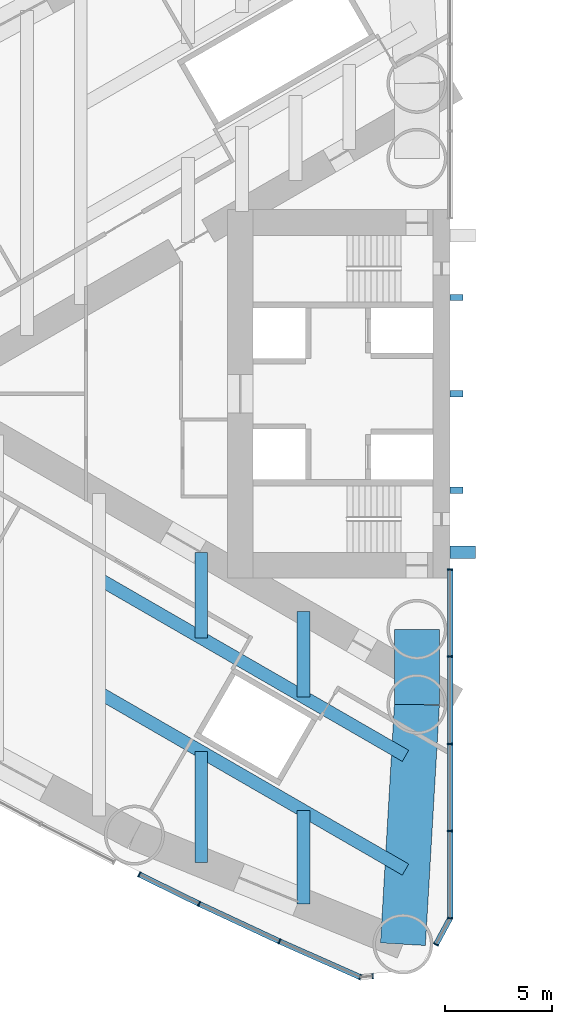
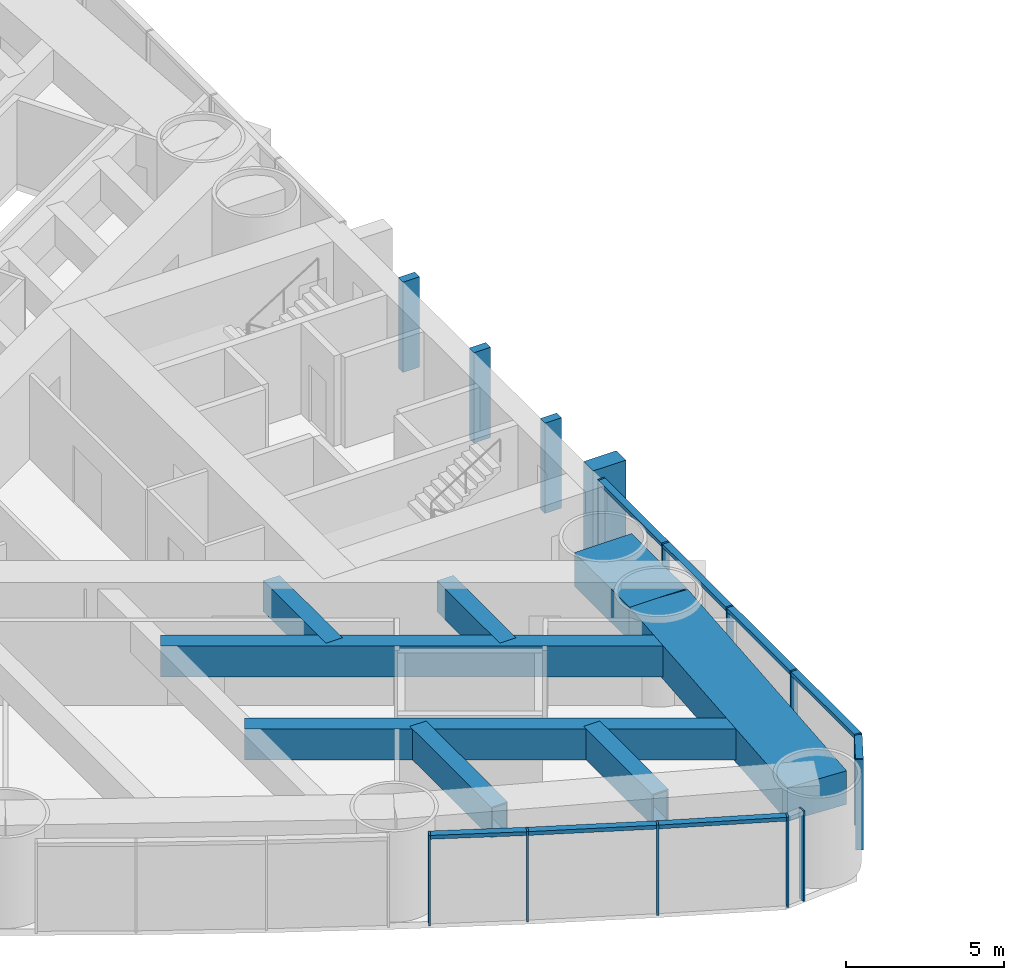
# One storey, part 3 of 20: 23 members, 8 beams, 2 elements without a shape of their own.
"""IFC4 building model written with IfcOpenShell, lengths in metres."""

from ifc_helpers import new_model, si_unit, direction, frame, origin, origin_2d, place, context, subcontext, project, spatial, rectangle, hollow_rectangle, extrude, material, material_profile, profile_set, type_object, element, aggregate, save


model = new_model("IFC4")

# Units and contexts
model_context = context("Model", 3, precision=1e-05, world=origin(), true_north=direction((0.0, 1.0)))
body_context = subcontext(model_context, "Body", "Model", "MODEL_VIEW")
ifc_project = project(units=[si_unit("LENGTHUNIT", "METRE"), si_unit("AREAUNIT", "SQUARE_METRE"), si_unit("VOLUMEUNIT", "CUBIC_METRE"), si_unit("PLANEANGLEUNIT", "RADIAN"), si_unit("MASSUNIT", "GRAM", prefix="KILO")], contexts=[model_context])

# Site, building, storey
site_placement = place(None, origin())
site = spatial("IfcSite", under=ifc_project, at=site_placement, CompositionType="ELEMENT")
building_placement = place(site_placement, origin())
building = spatial("IfcBuilding", under=site, at=building_placement, Name="Lancet Gate Hotel", CompositionType="ELEMENT")
storey_placement = place(building_placement, frame((0.0, 0.0, 77.5)))
storey = spatial("IfcBuildingStorey", under=building, at=storey_placement, Name="L20", CompositionType="ELEMENT", Elevation=77.5)

# Curtain wall, members
ifc_material_1 = material(Name="Aluminium curtain wall", Category="aluminium")
curtain_wall_type = type_object("IfcCurtainWallType", Name="Tower unitised curtain wall", PredefinedType="USERDEFINED", material=ifc_material_1)
curtain_wall_1_placement = place(storey_placement, origin())
curtain_wall_1 = element("IfcCurtainWall", 1, at=curtain_wall_1_placement, inside=storey, type_object=curtain_wall_type, Name="T1 L20 curtain wall 9", ObjectType="UNITISED CURTAIN WALL", PredefinedType="USERDEFINED")
ifc_material_2 = material(Name="Aluminium mullion", Category="aluminium")
ifc_material_profile_1 = material_profile(ifc_material_2, rectangle(XDim=0.06494140625, YDim=0.25, at=origin_2d()), Name="MULLION 65x250")
ifc_profile_set_1 = profile_set([ifc_material_profile_1], Name="Aluminium mullion")
member_type_1 = type_object("IfcMemberType", Name="Aluminium mullion 65x250", PredefinedType="MULLION", material=ifc_profile_set_1)
member_1_placement = place(storey_placement, frame((-42.017822265625, -22.44580078125, 0.0), z_axis=(0.0, 0.0, 1.0), x_axis=(0.897653295642, -0.440702349463, 0.0)))
member_1 = element("IfcMember", 2, at=member_1_placement, type_object=member_type_1, Name="T1 L20 curtain wall 9 mullion 1", PredefinedType="MULLION", context=body_context, shape_type="SweptSolid", body=[
    extrude(rectangle(XDim=0.06494140625, YDim=0.25, at=origin_2d()), origin(), (0.0, 0.0, 1.0), 3.5),
])
member_2_placement = place(storey_placement, frame((-39.225341796875, -23.816650390625, 0.0), z_axis=(0.0, 0.0, 1.0), x_axis=(0.902528866605, -0.43062935913, 0.0)))
member_2 = element("IfcMember", 3, at=member_2_placement, type_object=member_type_1, Name="T1 L20 curtain wall 9 mullion 2", PredefinedType="MULLION", context=body_context, shape_type="SweptSolid", body=[
    extrude(rectangle(XDim=0.06494140625, YDim=0.25, at=origin_2d()), origin(), (0.0, 0.0, 1.0), 3.5),
])
member_3_placement = place(storey_placement, frame((-35.473876953125, -25.568115234375, 0.0), z_axis=(0.0, 0.0, 1.0), x_axis=(0.910219680212, -0.414125746308, 0.0)))
member_3 = element("IfcMember", 4, at=member_3_placement, type_object=member_type_1, Name="T1 L20 curtain wall 9 mullion 3", PredefinedType="MULLION", context=body_context, shape_type="SweptSolid", body=[
    extrude(rectangle(XDim=0.06494140625, YDim=0.25, at=origin_2d()), origin(), (0.0, 0.0, 1.0), 3.5),
])
member_4_placement = place(storey_placement, frame((-31.688720703125, -27.24560546875, 0.0), z_axis=(0.0, 0.0, 1.0), x_axis=(0.936669468789, -0.350214657374, 0.0)))
member_4 = element("IfcMember", 5, at=member_4_placement, type_object=member_type_1, Name="T1 L20 curtain wall 9 mullion 4", PredefinedType="MULLION", context=body_context, shape_type="SweptSolid", body=[
    extrude(rectangle(XDim=0.06494140625, YDim=0.25, at=origin_2d()), origin(), (0.0, 0.0, 1.0), 3.5),
])
member_5_placement = place(storey_placement, frame((-31.119873046875, -27.196044921875, 0.0), z_axis=(0.0, 0.0, 1.0), x_axis=(0.99620380374, 0.087051602022, 0.0)))
member_5 = element("IfcMember", 6, at=member_5_placement, type_object=member_type_1, Name="T1 L20 curtain wall 9 mullion 5", PredefinedType="MULLION", context=body_context, shape_type="SweptSolid", body=[
    extrude(rectangle(XDim=0.06494140625, YDim=0.25, at=origin_2d()), origin(), (0.0, 0.0, 1.0), 3.5),
])

curtain_wall_2_placement = place(storey_placement, origin())
curtain_wall_2 = element("IfcCurtainWall", 7, at=curtain_wall_2_placement, inside=storey, type_object=curtain_wall_type, Name="T1 L20 curtain wall 10", ObjectType="UNITISED CURTAIN WALL", PredefinedType="USERDEFINED")
member_6_placement = place(storey_placement, frame((-28.157958984375, -25.71142578125, 0.0), z_axis=(0.0, 0.0, 1.0), x_axis=(0.474631040972, 0.880184852714, 0.0)))
member_6 = element("IfcMember", 8, at=member_6_placement, type_object=member_type_1, Name="T1 L20 curtain wall 10 mullion 1", PredefinedType="MULLION", context=body_context, shape_type="SweptSolid", body=[
    extrude(rectangle(XDim=0.06494140625, YDim=0.25, at=origin_2d()), origin(), (0.0, 0.0, 1.0), 3.5),
])
member_7_placement = place(storey_placement, frame((-27.5, -24.4912109375, 0.0), z_axis=(0.0, 0.0, 1.0), x_axis=(0.123363681604, 0.992361527903, 0.0)))
member_7 = element("IfcMember", 9, at=member_7_placement, type_object=member_type_1, Name="T1 L20 curtain wall 10 mullion 2", PredefinedType="MULLION", context=body_context, shape_type="SweptSolid", body=[
    extrude(rectangle(XDim=0.06494140625, YDim=0.25, at=origin_2d()), origin(), (0.0, 0.0, 1.0), 3.5),
])
member_8_placement = place(storey_placement, frame((-27.5, -20.41845703125, 0.0), z_axis=(0.0, 0.0, 1.0), x_axis=(0.0, 1.0, 0.0)))
member_8 = element("IfcMember", 10, at=member_8_placement, type_object=member_type_1, Name="T1 L20 curtain wall 10 mullion 3", PredefinedType="MULLION", context=body_context, shape_type="SweptSolid", body=[
    extrude(rectangle(XDim=0.06494140625, YDim=0.25, at=origin_2d()), origin(), (0.0, 0.0, 1.0), 3.5),
])
member_9_placement = place(storey_placement, frame((-27.5, -16.345703125, 0.0), z_axis=(0.0, 0.0, 1.0), x_axis=(0.0, 1.0, 0.0)))
member_9 = element("IfcMember", 11, at=member_9_placement, type_object=member_type_1, Name="T1 L20 curtain wall 10 mullion 4", PredefinedType="MULLION", context=body_context, shape_type="SweptSolid", body=[
    extrude(rectangle(XDim=0.06494140625, YDim=0.25, at=origin_2d()), origin(), (0.0, 0.0, 1.0), 3.5),
])
member_10_placement = place(storey_placement, frame((-27.5, -12.272705078125, 0.0), z_axis=(0.0, 0.0, 1.0), x_axis=(0.0, 1.0, 0.0)))
member_10 = element("IfcMember", 12, at=member_10_placement, type_object=member_type_1, Name="T1 L20 curtain wall 10 mullion 5", PredefinedType="MULLION", context=body_context, shape_type="SweptSolid", body=[
    extrude(rectangle(XDim=0.06494140625, YDim=0.25, at=origin_2d()), origin(), (0.0, 0.0, 1.0), 3.5),
])
member_11_placement = place(storey_placement, frame((-27.5, -8.199951171875, 0.0), z_axis=(0.0, 0.0, 1.0), x_axis=(0.0, 1.0, 0.0)))
member_11 = element("IfcMember", 13, at=member_11_placement, type_object=member_type_1, Name="T1 L20 curtain wall 10 mullion 6", PredefinedType="MULLION", context=body_context, shape_type="SweptSolid", body=[
    extrude(rectangle(XDim=0.06494140625, YDim=0.25, at=origin_2d()), origin(), (0.0, 0.0, 1.0), 3.5),
])

# Member
ifc_material_3 = material(Name="Aluminium transom", Category="aluminium")
ifc_material_profile_2 = material_profile(ifc_material_3, rectangle(XDim=0.25, YDim=0.14990234375, at=origin_2d()), Name="TRANSOM 250x150")
ifc_profile_set_2 = profile_set([ifc_material_profile_2], Name="Aluminium transom")
member_type_2 = type_object("IfcMemberType", Name="Aluminium transom 250x150", PredefinedType="USERDEFINED", material=ifc_profile_set_2)
member_12_placement = place(storey_placement, frame((-41.988525390625, -22.4599609375, 3.425048828125), z_axis=(0.897642241147, -0.440724865317, 0.0), x_axis=(0.440724865317, 0.897642241147, 0.0)))
member_12 = element("IfcMember", 14, at=member_12_placement, type_object=member_type_2, Name="T1 L20 curtain wall 9 transom 1", ObjectType="TRANSOM", PredefinedType="USERDEFINED", context=body_context, shape_type="SweptSolid", body=[
    extrude(rectangle(XDim=0.25, YDim=0.14990234375, at=origin_2d()), origin(), (0.0, 0.0, 1.0), 3.045654296875),
])

member_13_placement = place(storey_placement, frame((-39.196044921875, -23.830322265625, 3.425048828125), z_axis=(0.906109667261, -0.423042871228, 0.0), x_axis=(0.423042871228, 0.906109667261, 0.0)))
member_13 = element("IfcMember", 15, at=member_13_placement, type_object=member_type_2, Name="T1 L20 curtain wall 9 transom 2", ObjectType="TRANSOM", PredefinedType="USERDEFINED", context=body_context, shape_type="SweptSolid", body=[
    extrude(rectangle(XDim=0.25, YDim=0.14990234375, at=origin_2d()), origin(), (0.0, 0.0, 1.0), 4.075439453125),
])

member_14_placement = place(storey_placement, frame((-35.444091796875, -25.581298828125, 3.425048828125), z_axis=(0.914248281954, -0.405154389022, 0.0), x_axis=(0.405154389022, 0.914248281954, 0.0)))
member_14 = element("IfcMember", 16, at=member_14_placement, type_object=member_type_2, Name="T1 L20 curtain wall 9 transom 3", ObjectType="TRANSOM", PredefinedType="USERDEFINED", context=body_context, shape_type="SweptSolid", body=[
    extrude(rectangle(XDim=0.25, YDim=0.14990234375, at=origin_2d()), origin(), (0.0, 0.0, 1.0), 4.0751953125),
])

aggregate(curtain_wall_1, [member_1, member_2, member_3, member_4, member_5, member_12, member_13, member_14])

member_15_placement = place(storey_placement, frame((-28.142578125, -25.682861328125, 3.425048828125), z_axis=(0.474639595966, 0.880180239463, 0.0), x_axis=(-0.880180239463, 0.474639595966, 0.0)))
member_15 = element("IfcMember", 17, at=member_15_placement, type_object=member_type_2, Name="T1 L20 curtain wall 10 transom 1", ObjectType="TRANSOM", PredefinedType="USERDEFINED", context=body_context, shape_type="SweptSolid", body=[
    extrude(rectangle(XDim=0.25, YDim=0.14990234375, at=origin_2d()), origin(), (0.0, 0.0, 1.0), 1.321533203125),
])

member_16_placement = place(storey_placement, frame((-27.5, -24.458740234375, 3.425048828125), z_axis=(0.0, 1.0, 0.0), x_axis=(-1.0, 0.0, 0.0)))
member_16 = element("IfcMember", 18, at=member_16_placement, type_object=member_type_2, Name="T1 L20 curtain wall 10 transom 2", ObjectType="TRANSOM", PredefinedType="USERDEFINED", context=body_context, shape_type="SweptSolid", body=[
    extrude(rectangle(XDim=0.25, YDim=0.14990234375, at=origin_2d()), origin(), (0.0, 0.0, 1.0), 4.0078125),
])

member_17_placement = place(storey_placement, frame((-27.5, -20.385986328125, 3.425048828125), z_axis=(0.0, 1.0, 0.0), x_axis=(-1.0, 0.0, 0.0)))
member_17 = element("IfcMember", 19, at=member_17_placement, type_object=member_type_2, Name="T1 L20 curtain wall 10 transom 3", ObjectType="TRANSOM", PredefinedType="USERDEFINED", context=body_context, shape_type="SweptSolid", body=[
    extrude(rectangle(XDim=0.25, YDim=0.14990234375, at=origin_2d()), origin(), (0.0, 0.0, 1.0), 4.0078125),
])

member_18_placement = place(storey_placement, frame((-27.5, -16.31298828125, 3.425048828125), z_axis=(0.0, 1.0, 0.0), x_axis=(-1.0, 0.0, 0.0)))
member_18 = element("IfcMember", 20, at=member_18_placement, type_object=member_type_2, Name="T1 L20 curtain wall 10 transom 4", ObjectType="TRANSOM", PredefinedType="USERDEFINED", context=body_context, shape_type="SweptSolid", body=[
    extrude(rectangle(XDim=0.25, YDim=0.14990234375, at=origin_2d()), origin(), (0.0, 0.0, 1.0), 4.0078125),
])

member_19_placement = place(storey_placement, frame((-27.5, -12.240234375, 3.425048828125), z_axis=(0.0, 1.0, 0.0), x_axis=(-1.0, 0.0, 0.0)))
member_19 = element("IfcMember", 21, at=member_19_placement, type_object=member_type_2, Name="T1 L20 curtain wall 10 transom 5", ObjectType="TRANSOM", PredefinedType="USERDEFINED", context=body_context, shape_type="SweptSolid", body=[
    extrude(rectangle(XDim=0.25, YDim=0.14990234375, at=origin_2d()), origin(), (0.0, 0.0, 1.0), 4.0078125),
])

aggregate(curtain_wall_2, [member_6, member_7, member_8, member_9, member_10, member_11, member_15, member_16, member_17, member_18, member_19])

# Members
ifc_material_4 = material(Name="Concrete C60/75", Category="concrete")
ifc_material_profile_3 = material_profile(ifc_material_4, rectangle(XDim=0.60009765625, YDim=1.199951171875, at=origin_2d()), Name="FIN 600x1200")
ifc_profile_set_3 = profile_set([ifc_material_profile_3], Name="Concrete C60/75")
member_type_3 = type_object("IfcMemberType", Name="Exposed concrete buttress pilaster 600x1200", PredefinedType="USERDEFINED", material=ifc_profile_set_3)
member_20_placement = place(storey_placement, frame((-26.909912109375, -7.39990234375, 0.0), z_axis=(0.0, 0.0, 1.0), x_axis=(0.0, 1.0, 0.0)))
element("IfcMember", 22, at=member_20_placement, inside=storey, type_object=member_type_3, Name="T1 buttress pilaster N L20", ObjectType="FIN", PredefinedType="USERDEFINED", context=body_context, shape_type="SweptSolid", body=[
    extrude(rectangle(XDim=0.60009765625, YDim=1.199951171875, at=origin_2d()), origin(), (0.0, 0.0, 1.0), 3.5),
])
ifc_material_5 = material(Name="Concrete C60/75", Category="concrete")
ifc_material_profile_4 = material_profile(ifc_material_5, rectangle(XDim=0.300048828125, YDim=0.60009765625, at=origin_2d()), Name="FIN 300x600")
ifc_profile_set_4 = profile_set([ifc_material_profile_4], Name="Concrete C60/75")
member_type_4 = type_object("IfcMemberType", Name="Exposed concrete rib 300x600", PredefinedType="USERDEFINED", material=ifc_profile_set_4)
for number, where, z_axis, x_axis, name in (
    (23, (-27.2099609375, 4.5, 0.0), (0.0, 0.0, 1.0), (0.0, 1.0, 0.0), "T1 core rib 1 L20"),
    (24, (-27.2099609375, 0.0, 0.0), (0.0, 0.0, 1.0), (0.0, 1.0, 0.0), "T1 core rib 2 L20"),
    (25, (-27.2099609375, -4.5, 0.0), (0.0, 0.0, 1.0), (0.0, 1.0, 0.0), "T1 core rib 3 L20"),
):
    element("IfcMember", number, at=place(storey_placement, frame(where, z_axis=z_axis, x_axis=x_axis)), inside=storey, type_object=member_type_4, Name=name, ObjectType="FIN", PredefinedType="USERDEFINED", context=body_context, shape_type="SweptSolid", body=[
        extrude(rectangle(XDim=0.300048828125, YDim=0.60009765625, at=origin_2d()), origin(), (0.0, 0.0, 1.0), 3.5),
    ])

# Beams
ifc_material_6 = material(Name="Steel S460QL", Category="steel")
ifc_material_profile_5 = material_profile(ifc_material_6, hollow_rectangle(XDim=0.60009765625, YDim=1.199951171875, WallThickness=0.050048828125, at=origin_2d()), Name="BOX 1200x600x50")
ifc_profile_set_5 = profile_set([ifc_material_profile_5], Name="Steel S460QL")
beam_type_1 = type_object("IfcBeamType", Name="Refuge floor beam BOX 1200x600x50", PredefinedType="BEAM", material=ifc_profile_set_5)
beam_1_placement = place(storey_placement, frame((-34.353515625, -10.169921875, 2.64990234375), z_axis=(0.0, -1.0, 0.0), x_axis=(1.0, 0.0, 0.0)))
element("IfcBeam", 26, at=beam_1_placement, inside=storey, type_object=beam_type_1, Name="T1 floor beam F03NA L20", PredefinedType="BEAM", context=body_context, shape_type="SweptSolid", body=[
    extrude(hollow_rectangle(XDim=0.60009765625, YDim=1.199951171875, WallThickness=0.050048828125, at=origin_2d()), origin(), (0.0, 0.0, 1.0), 3.98388671875),
])
beam_2_placement = place(storey_placement, frame((-34.353515625, -19.46484375, 2.64990234375), z_axis=(0.0, -1.0, 0.0), x_axis=(1.0, 0.0, 0.0)))
element("IfcBeam", 27, at=beam_2_placement, inside=storey, type_object=beam_type_1, Name="T1 floor beam F03NB L20", PredefinedType="BEAM", context=body_context, shape_type="SweptSolid", body=[
    extrude(hollow_rectangle(XDim=0.60009765625, YDim=1.199951171875, WallThickness=0.050048828125, at=origin_2d()), origin(), (0.0, 0.0, 1.0), 4.3486328125),
])
beam_3_placement = place(storey_placement, frame((-39.122314453125, -7.41650390625, 2.64990234375), z_axis=(0.0, -1.0, 0.0), x_axis=(1.0, 0.0, 0.0)))
element("IfcBeam", 28, at=beam_3_placement, inside=storey, type_object=beam_type_1, Name="T1 floor beam F06NA L20", PredefinedType="BEAM", context=body_context, shape_type="SweptSolid", body=[
    extrude(hollow_rectangle(XDim=0.60009765625, YDim=1.199951171875, WallThickness=0.050048828125, at=origin_2d()), origin(), (0.0, 0.0, 1.0), 3.984130859375),
])
beam_4_placement = place(storey_placement, frame((-39.122314453125, -16.7119140625, 2.64990234375), z_axis=(0.0, -1.0, 0.0), x_axis=(1.0, 0.0, 0.0)))
element("IfcBeam", 29, at=beam_4_placement, inside=storey, type_object=beam_type_1, Name="T1 floor beam F06NB L20", PredefinedType="BEAM", context=body_context, shape_type="SweptSolid", body=[
    extrude(hollow_rectangle(XDim=0.60009765625, YDim=1.199951171875, WallThickness=0.050048828125, at=origin_2d()), origin(), (0.0, 0.0, 1.0), 5.164306640625),
])
ifc_material_7 = material(Name="Concrete C50/60", Category="concrete")
ifc_material_profile_6 = material_profile(ifc_material_7, rectangle(XDim=2.10009765625, YDim=1.300048828125, at=origin_2d()), Name="RC 2100x1300")
ifc_profile_set_6 = profile_set([ifc_material_profile_6], Name="Concrete C50/60")
beam_type_2 = type_object("IfcBeamType", Name="Tie ring beam RC 2100x1300", PredefinedType="SPANDREL", material=ifc_profile_set_6)
beam_5_placement = place(storey_placement, frame((-29.050048828125, -11.0, 2.60009765625), z_axis=(0.0, -1.0, 0.0), x_axis=(1.0, 0.0, 0.0)))
element("IfcBeam", 30, at=beam_5_placement, inside=storey, type_object=beam_type_2, Name="T1 tie ring beam RG2 L20", PredefinedType="SPANDREL", context=body_context, shape_type="SweptSolid", body=[
    extrude(rectangle(XDim=2.10009765625, YDim=1.300048828125, at=origin_2d()), origin(), (0.0, 0.0, 1.0), 3.5),
])
beam_6_placement = place(storey_placement, frame((-29.050048828125, -14.5, 2.60009765625), z_axis=(-0.058219521912, -0.998303805096, 0.0), x_axis=(0.998303805096, -0.058219521912, 0.0)))
element("IfcBeam", 31, at=beam_6_placement, inside=storey, type_object=beam_type_2, Name="T1 tie ring beam RG2 L20", PredefinedType="SPANDREL", context=body_context, shape_type="SweptSolid", body=[
    extrude(rectangle(XDim=2.10009765625, YDim=1.300048828125, at=origin_2d()), origin(), (0.0, 0.0, 1.0), 11.2216796875),
])
ifc_material_8 = material(Name="Steel S460QL", Category="steel")
ifc_material_profile_7 = material_profile(ifc_material_8, hollow_rectangle(XDim=0.60009765625, YDim=1.199951171875, WallThickness=0.050048828125, at=origin_2d()), Name="BOX 1200x600x50")
ifc_profile_set_7 = profile_set([ifc_material_profile_7], Name="Steel S460QL")
beam_type_3 = type_object("IfcBeamType", Name="Trimmer beam BOX 1200x600x50", PredefinedType="BEAM", material=ifc_profile_set_7)
for number, where, z_axis, x_axis, name in (
    (32, (-29.58447265625, -22.218017578125, 2.64990234375), (-0.86604654091, 0.499963387638, 0.0), (-0.499963387638, -0.86604654091, 0.0), "T1 trimmer beam TR03N L20"),
    (33, (-29.58447265625, -16.90673828125, 2.64990234375), (-0.86604654091, 0.499963387638, 0.0), (-0.499963387638, -0.86604654091, 0.0), "T1 trimmer beam TR04N L20"),
):
    element("IfcBeam", number, at=place(storey_placement, frame(where, z_axis=z_axis, x_axis=x_axis)), inside=storey, type_object=beam_type_3, Name=name, PredefinedType="BEAM", context=body_context, shape_type="SweptSolid", body=[
        extrude(hollow_rectangle(XDim=0.60009765625, YDim=1.199951171875, WallThickness=0.050048828125, at=origin_2d()), origin(), (0.0, 0.0, 1.0), 16.519775390625),
    ])

save(model, "model.ifc")
